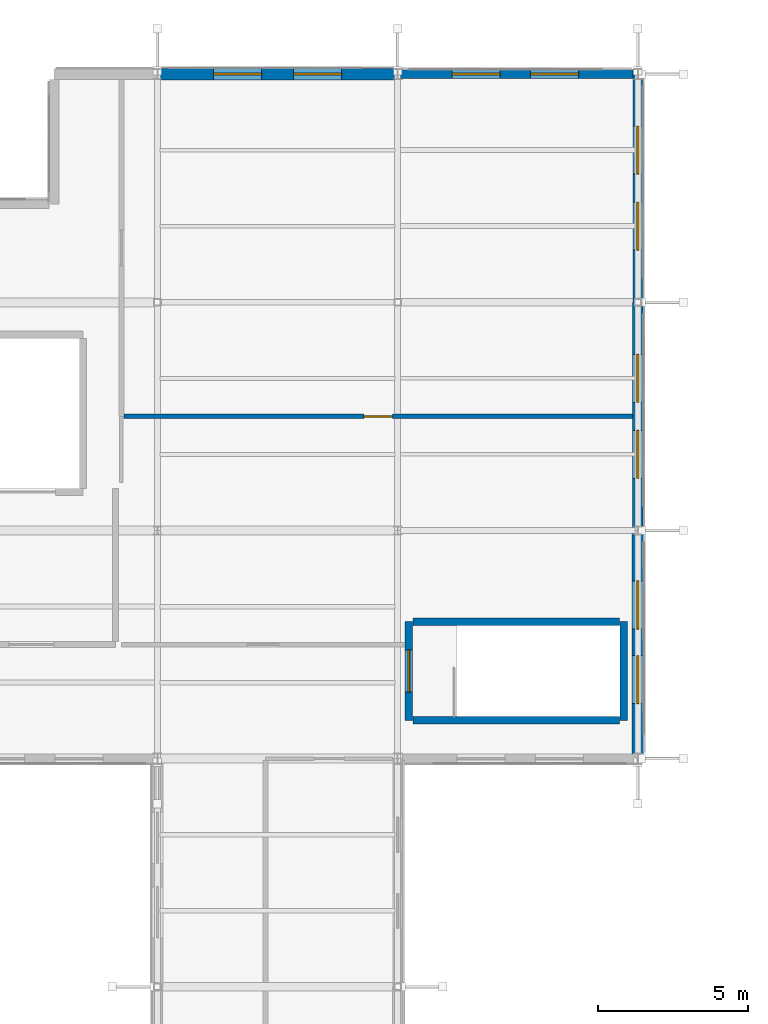
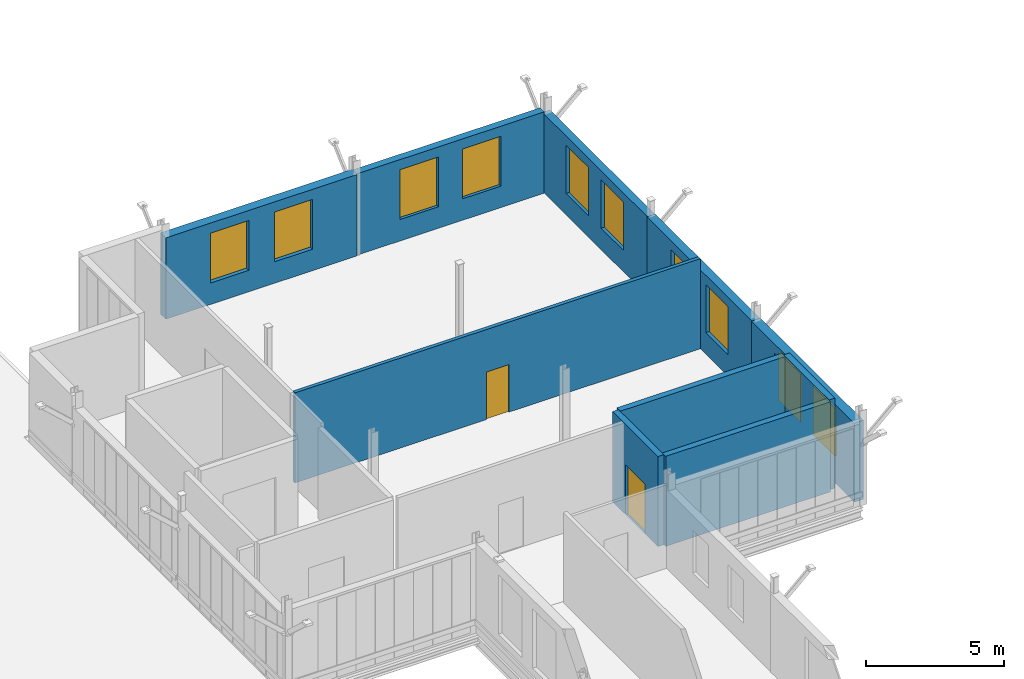
# One storey, part 85 of 101: 10 walls, 10 windows, 2 doors, 12 openings.
"""IFC4 building model written with IfcOpenShell, lengths in metres."""

from ifc_helpers import new_model, si_unit, direction, frame, frame_2d, origin, place, context, subcontext, project, spatial, rectangle, extrude, material, layer, layer_set, type_object, element, fill, save


model = new_model("IFC4")

# Units and contexts
model_context = context("Model", 3, precision=1e-05, world=origin(), true_north=direction((0.0, 1.0)))
body_context = subcontext(model_context, "Body", "Model", "MODEL_VIEW")
ifc_project = project(units=[si_unit("LENGTHUNIT", "METRE"), si_unit("AREAUNIT", "SQUARE_METRE"), si_unit("VOLUMEUNIT", "CUBIC_METRE"), si_unit("PLANEANGLEUNIT", "RADIAN"), si_unit("MASSUNIT", "GRAM", prefix="KILO")], contexts=[model_context])

# Site, building, storey
site_placement = place(None, origin())
site = spatial("IfcSite", under=ifc_project, at=site_placement, CompositionType="ELEMENT")
building_placement = place(site_placement, origin())
building = spatial("IfcBuilding", under=site, at=building_placement, Name="Vekula Escarpment Museum", CompositionType="ELEMENT")
storey_placement = place(building_placement, frame((0.0, 0.0, 18.0)))
storey = spatial("IfcBuildingStorey", under=building, at=storey_placement, Name="L04", CompositionType="ELEMENT", Elevation=18.0)

# Wall, openings, windows
ifc_material_1 = material(Name="Inkisi arkosic sandstone masonry", Category="masonry")
ifc_layer_1 = layer(ifc_material_1, 0.300048828125)
ifc_layer_set_1 = layer_set([ifc_layer_1], Name="Inkisi arkosic sandstone masonry")
wall_type_1 = type_object("IfcWallType", Name="WL-ALM-300", PredefinedType="SOLIDWALL", material=ifc_layer_set_1)
wall_1_placement = place(storey_placement, frame((48.0, 136.0, 0.0), z_axis=(0.0, 0.0, 1.0), x_axis=(1.0, 0.0, 0.0)))
wall_1 = element("IfcWall", 1, at=wall_1_placement, inside=storey, type_object=wall_type_1, Name="Exterior Wall WL-EXT-L04-0787", PredefinedType="SOLIDWALL", context=body_context, shape_type="SweptSolid", body=[
    extrude(rectangle(XDim=7.8359375, YDim=0.300048828125, at=frame_2d((3.91796875, 0.0))), origin(), (0.0, 0.0, 1.0), 3.594970703125),
])
opening_1_placement = place(wall_1_placement, frame((1.81201171875, 0.0, 0.949951171875)))
opening_1 = element("IfcOpeningElement", 2, at=opening_1_placement, cuts=wall_1, Name="Opening WN-10", PredefinedType="OPENING", context=body_context, shape_type="SweptSolid", body=[
    extrude(rectangle(XDim=1.60009765625, YDim=2.199951171875, at=frame_2d((0.800048828125, 1.10009765625))), frame((0.0, 0.159912109375, 0.0), z_axis=(0.0, -1.0, 0.0), x_axis=(1.0, 0.0, 0.0)), (0.0, 0.0, 1.0), 0.320068359375),
])
opening_2_placement = place(wall_1_placement, frame((4.424072265625, 0.0, 0.949951171875)))
opening_2 = element("IfcOpeningElement", 3, at=opening_2_placement, cuts=wall_1, Name="Opening WN-10", PredefinedType="OPENING", context=body_context, shape_type="SweptSolid", body=[
    extrude(rectangle(XDim=1.60009765625, YDim=2.199951171875, at=frame_2d((0.800048828125, 1.10009765625))), frame((0.0, 0.159912109375, 0.0), z_axis=(0.0, -1.0, 0.0), x_axis=(1.0, 0.0, 0.0)), (0.0, 0.0, 1.0), 0.320068359375),
])
ifc_material_2 = material(Name="Double solar-control low-E glass", Category="glass")
window_type = type_object("IfcWindowType", Name="WN-LAB-16x22", PartitioningType="DOUBLE_PANEL_HORIZONTAL", PredefinedType="WINDOW", material=ifc_material_2)
window_1_placement = place(opening_1_placement, origin())
window_1 = element("IfcWindow", 4, at=window_1_placement, inside=storey, type_object=window_type, Name="Window L04-0421", OverallHeight=2.199951171875, OverallWidth=1.60009765625, PartitioningType="SINGLE_PANEL", PredefinedType="WINDOW", context=body_context, shape_type="SweptSolid", body=[
    extrude(rectangle(XDim=1.60009765625, YDim=2.199951171875, at=frame_2d((0.800048828125, 1.10009765625))), frame((0.0, 0.030029296875, 0.0), z_axis=(0.0, -1.0, 0.0), x_axis=(1.0, 0.0, 0.0)), (0.0, 0.0, 1.0), 0.06005859375),
])
fill(opening_1, window_1)
window_2_placement = place(opening_2_placement, origin())
window_2 = element("IfcWindow", 5, at=window_2_placement, inside=storey, type_object=window_type, Name="Window L04-0422", OverallHeight=2.199951171875, OverallWidth=1.60009765625, PartitioningType="SINGLE_PANEL", PredefinedType="WINDOW", context=body_context, shape_type="SweptSolid", body=[
    extrude(rectangle(XDim=1.60009765625, YDim=2.199951171875, at=frame_2d((0.800048828125, 1.10009765625))), frame((0.0, 0.030029296875, 0.0), z_axis=(0.0, -1.0, 0.0), x_axis=(1.0, 0.0, 0.0)), (0.0, 0.0, 1.0), 0.06005859375),
])
fill(opening_2, window_2)

ifc_material_3 = material(Name="Inkisi arkosic sandstone masonry", Category="masonry")
ifc_layer_2 = layer(ifc_material_3, 0.320068359375)
ifc_layer_set_2 = layer_set([ifc_layer_2], Name="Inkisi arkosic sandstone masonry")
wall_type_2 = type_object("IfcWallType", Name="WL-ALM-320", PredefinedType="SOLIDWALL", material=ifc_layer_set_2)
wall_2_placement = place(storey_placement, frame((56.0, 136.0, 0.0), z_axis=(0.0, 0.0, 1.0), x_axis=(0.0, -1.0, 0.0)))
wall_2 = element("IfcWall", 6, at=wall_2_placement, inside=storey, type_object=wall_type_2, Name="Exterior Wall WL-EXT-L04-0786", PredefinedType="SOLIDWALL", context=body_context, shape_type="SweptSolid", body=[
    extrude(rectangle(XDim=7.60009765625, YDim=0.320068359375, at=frame_2d((3.800048828125, 0.0))), origin(), (0.0, 0.0, 1.0), 3.485107421875),
])
opening_3_placement = place(wall_2_placement, frame((1.7333984375, 0.0, 0.949951171875)))
opening_3 = element("IfcOpeningElement", 7, at=opening_3_placement, cuts=wall_2, Name="Opening WN-10", PredefinedType="OPENING", context=body_context, shape_type="SweptSolid", body=[
    extrude(rectangle(XDim=1.60009765625, YDim=2.1298828125, at=frame_2d((0.800048828125, 1.06494140625))), frame((0.0, 0.169921875, 0.0), z_axis=(0.0, -1.0, 0.0), x_axis=(1.0, 0.0, 0.0)), (0.0, 0.0, 1.0), 0.340087890625),
])
opening_4_placement = place(wall_2_placement, frame((4.2666015625, 0.0, 0.949951171875)))
opening_4 = element("IfcOpeningElement", 8, at=opening_4_placement, cuts=wall_2, Name="Opening WN-10", PredefinedType="OPENING", context=body_context, shape_type="SweptSolid", body=[
    extrude(rectangle(XDim=1.60009765625, YDim=2.1298828125, at=frame_2d((0.800048828125, 1.06494140625))), frame((0.0, 0.169921875, 0.0), z_axis=(0.0, -1.0, 0.0), x_axis=(1.0, 0.0, 0.0)), (0.0, 0.0, 1.0), 0.340087890625),
])
window_3_placement = place(opening_3_placement, origin())
window_3 = element("IfcWindow", 9, at=window_3_placement, inside=storey, type_object=window_type, Name="Window L04-0419", OverallHeight=2.1298828125, OverallWidth=1.60009765625, PartitioningType="SINGLE_PANEL", PredefinedType="WINDOW", context=body_context, shape_type="SweptSolid", body=[
    extrude(rectangle(XDim=1.60009765625, YDim=2.1298828125, at=frame_2d((0.800048828125, 1.06494140625))), frame((0.0, 0.030029296875, 0.0), z_axis=(0.0, -1.0, 0.0), x_axis=(1.0, 0.0, 0.0)), (0.0, 0.0, 1.0), 0.06005859375),
])
fill(opening_3, window_3)
window_4_placement = place(opening_4_placement, origin())
window_4 = element("IfcWindow", 10, at=window_4_placement, inside=storey, type_object=window_type, Name="Window L04-0420", OverallHeight=2.1298828125, OverallWidth=1.60009765625, PartitioningType="SINGLE_PANEL", PredefinedType="WINDOW", context=body_context, shape_type="SweptSolid", body=[
    extrude(rectangle(XDim=1.60009765625, YDim=2.1298828125, at=frame_2d((0.800048828125, 1.06494140625))), frame((0.0, 0.030029296875, 0.0), z_axis=(0.0, -1.0, 0.0), x_axis=(1.0, 0.0, 0.0)), (0.0, 0.0, 1.0), 0.06005859375),
])
fill(opening_4, window_4)

ifc_material_4 = material(Name="Inkisi arkosic sandstone masonry", Category="masonry")
ifc_layer_3 = layer(ifc_material_4, 0.35009765625)
ifc_layer_set_3 = layer_set([ifc_layer_3], Name="Inkisi arkosic sandstone masonry")
wall_type_3 = type_object("IfcWallType", Name="WL-ALM-350", PredefinedType="SOLIDWALL", material=ifc_layer_set_3)
wall_3_placement = place(storey_placement, frame((56.0, 128.39990234375, 0.0), z_axis=(0.0, 0.0, 1.0), x_axis=(0.0, -1.0, 0.0)))
wall_3 = element("IfcWall", 11, at=wall_3_placement, inside=storey, type_object=wall_type_3, Name="Exterior Wall WL-EXT-L04-0785", PredefinedType="SOLIDWALL", context=body_context, shape_type="SweptSolid", body=[
    extrude(rectangle(XDim=7.599853515625, YDim=0.35009765625, at=frame_2d((3.7998046875, 0.0))), origin(), (0.0, 0.0, 1.0), 3.485107421875),
])
opening_5_placement = place(wall_3_placement, frame((1.7333984375, 0.0, 0.949951171875)))
opening_5 = element("IfcOpeningElement", 12, at=opening_5_placement, cuts=wall_3, Name="Opening WN-10", PredefinedType="OPENING", context=body_context, shape_type="SweptSolid", body=[
    extrude(rectangle(XDim=1.60009765625, YDim=2.1298828125, at=frame_2d((0.800048828125, 1.06494140625))), frame((0.0, 0.18505859375, 0.0), z_axis=(0.0, -1.0, 0.0), x_axis=(1.0, 0.0, 0.0)), (0.0, 0.0, 1.0), 0.3701171875),
])
opening_6_placement = place(wall_3_placement, frame((4.2666015625, 0.0, 0.949951171875)))
opening_6 = element("IfcOpeningElement", 13, at=opening_6_placement, cuts=wall_3, Name="Opening WN-10", PredefinedType="OPENING", context=body_context, shape_type="SweptSolid", body=[
    extrude(rectangle(XDim=1.60009765625, YDim=2.1298828125, at=frame_2d((0.800048828125, 1.06494140625))), frame((0.0, 0.18505859375, 0.0), z_axis=(0.0, -1.0, 0.0), x_axis=(1.0, 0.0, 0.0)), (0.0, 0.0, 1.0), 0.3701171875),
])
window_5_placement = place(opening_5_placement, origin())
window_5 = element("IfcWindow", 14, at=window_5_placement, inside=storey, type_object=window_type, Name="Window L04-0417", OverallHeight=2.1298828125, OverallWidth=1.60009765625, PartitioningType="SINGLE_PANEL", PredefinedType="WINDOW", context=body_context, shape_type="SweptSolid", body=[
    extrude(rectangle(XDim=1.60009765625, YDim=2.1298828125, at=frame_2d((0.800048828125, 1.06494140625))), frame((0.0, 0.030029296875, 0.0), z_axis=(0.0, -1.0, 0.0), x_axis=(1.0, 0.0, 0.0)), (0.0, 0.0, 1.0), 0.06005859375),
])
fill(opening_5, window_5)
window_6_placement = place(opening_6_placement, origin())
window_6 = element("IfcWindow", 15, at=window_6_placement, inside=storey, type_object=window_type, Name="Window L04-0418", OverallHeight=2.1298828125, OverallWidth=1.60009765625, PartitioningType="SINGLE_PANEL", PredefinedType="WINDOW", context=body_context, shape_type="SweptSolid", body=[
    extrude(rectangle(XDim=1.60009765625, YDim=2.1298828125, at=frame_2d((0.800048828125, 1.06494140625))), frame((0.0, 0.030029296875, 0.0), z_axis=(0.0, -1.0, 0.0), x_axis=(1.0, 0.0, 0.0)), (0.0, 0.0, 1.0), 0.06005859375),
])
fill(opening_6, window_6)

ifc_material_5 = material(Name="Inkisi arkosic sandstone masonry", Category="masonry")
ifc_layer_4 = layer(ifc_material_5, 0.3798828125)
ifc_layer_set_4 = layer_set([ifc_layer_4], Name="Inkisi arkosic sandstone masonry")
wall_type_4 = type_object("IfcWallType", Name="WL-ALM-380", PredefinedType="SOLIDWALL", material=ifc_layer_set_4)
wall_4_placement = place(storey_placement, frame((56.0, 120.800048828125, 0.0), z_axis=(0.0, 0.0, 1.0), x_axis=(0.0, -1.0, 0.0)))
wall_4 = element("IfcWall", 16, at=wall_4_placement, inside=storey, type_object=wall_type_4, Name="Exterior Wall WL-EXT-L04-0784", PredefinedType="SOLIDWALL", context=body_context, shape_type="SweptSolid", body=[
    extrude(rectangle(XDim=7.446044921875, YDim=0.3798828125, at=frame_2d((3.72314453125, 0.0))), origin(), (0.0, 0.0, 1.0), 3.485107421875),
])
opening_7_placement = place(wall_4_placement, frame((1.681884765625, 0.0, 0.949951171875)))
opening_7 = element("IfcOpeningElement", 17, at=opening_7_placement, cuts=wall_4, Name="Opening WN-10", PredefinedType="OPENING", context=body_context, shape_type="SweptSolid", body=[
    extrude(rectangle(XDim=1.60009765625, YDim=2.1298828125, at=frame_2d((0.800048828125, 1.06494140625))), frame((0.0, 0.199951171875, 0.0), z_axis=(0.0, -1.0, 0.0), x_axis=(1.0, 0.0, 0.0)), (0.0, 0.0, 1.0), 0.39990234375),
])
opening_8_placement = place(wall_4_placement, frame((4.1640625, 0.0, 0.949951171875)))
opening_8 = element("IfcOpeningElement", 18, at=opening_8_placement, cuts=wall_4, Name="Opening WN-10", PredefinedType="OPENING", context=body_context, shape_type="SweptSolid", body=[
    extrude(rectangle(XDim=1.60009765625, YDim=2.1298828125, at=frame_2d((0.800048828125, 1.06494140625))), frame((0.0, 0.199951171875, 0.0), z_axis=(0.0, -1.0, 0.0), x_axis=(1.0, 0.0, 0.0)), (0.0, 0.0, 1.0), 0.39990234375),
])
window_7_placement = place(opening_7_placement, origin())
window_7 = element("IfcWindow", 19, at=window_7_placement, inside=storey, type_object=window_type, Name="Window L04-0415", OverallHeight=2.1298828125, OverallWidth=1.60009765625, PartitioningType="SINGLE_PANEL", PredefinedType="WINDOW", context=body_context, shape_type="SweptSolid", body=[
    extrude(rectangle(XDim=1.60009765625, YDim=2.1298828125, at=frame_2d((0.800048828125, 1.06494140625))), frame((0.0, 0.030029296875, 0.0), z_axis=(0.0, -1.0, 0.0), x_axis=(1.0, 0.0, 0.0)), (0.0, 0.0, 1.0), 0.06005859375),
])
fill(opening_7, window_7)
window_8_placement = place(opening_8_placement, origin())
window_8 = element("IfcWindow", 20, at=window_8_placement, inside=storey, type_object=window_type, Name="Window L04-0416", OverallHeight=2.1298828125, OverallWidth=1.60009765625, PartitioningType="SINGLE_PANEL", PredefinedType="WINDOW", context=body_context, shape_type="SweptSolid", body=[
    extrude(rectangle(XDim=1.60009765625, YDim=2.1298828125, at=frame_2d((0.800048828125, 1.06494140625))), frame((0.0, 0.030029296875, 0.0), z_axis=(0.0, -1.0, 0.0), x_axis=(1.0, 0.0, 0.0)), (0.0, 0.0, 1.0), 0.06005859375),
])
fill(opening_8, window_8)

wall_5_placement = place(storey_placement, frame((40.0, 136.0, 0.0), z_axis=(0.0, 0.0, 1.0), x_axis=(1.0, 0.0, 0.0)))
wall_5 = element("IfcWall", 21, at=wall_5_placement, inside=storey, type_object=wall_type_4, Name="Exterior Wall WL-EXT-L04-0788", PredefinedType="SOLIDWALL", context=body_context, shape_type="SweptSolid", body=[
    extrude(rectangle(XDim=8.0, YDim=0.3798828125, at=frame_2d((4.0, 0.0))), origin(), (0.0, 0.0, 1.0), 3.594970703125),
])
opening_9_placement = place(wall_5_placement, frame((1.86669921875, 0.0, 0.949951171875)))
opening_9 = element("IfcOpeningElement", 22, at=opening_9_placement, cuts=wall_5, Name="Opening WN-10", PredefinedType="OPENING", context=body_context, shape_type="SweptSolid", body=[
    extrude(rectangle(XDim=1.60009765625, YDim=2.199951171875, at=frame_2d((0.800048828125, 1.10009765625))), frame((0.0, 0.199951171875, 0.0), z_axis=(0.0, -1.0, 0.0), x_axis=(1.0, 0.0, 0.0)), (0.0, 0.0, 1.0), 0.39990234375),
])
opening_10_placement = place(wall_5_placement, frame((4.533203125, 0.0, 0.949951171875)))
opening_10 = element("IfcOpeningElement", 23, at=opening_10_placement, cuts=wall_5, Name="Opening WN-10", PredefinedType="OPENING", context=body_context, shape_type="SweptSolid", body=[
    extrude(rectangle(XDim=1.60009765625, YDim=2.199951171875, at=frame_2d((0.800048828125, 1.10009765625))), frame((0.0, 0.199951171875, 0.0), z_axis=(0.0, -1.0, 0.0), x_axis=(1.0, 0.0, 0.0)), (0.0, 0.0, 1.0), 0.39990234375),
])
window_9_placement = place(opening_9_placement, origin())
window_9 = element("IfcWindow", 24, at=window_9_placement, inside=storey, type_object=window_type, Name="Window L04-0423", OverallHeight=2.199951171875, OverallWidth=1.60009765625, PartitioningType="SINGLE_PANEL", PredefinedType="WINDOW", context=body_context, shape_type="SweptSolid", body=[
    extrude(rectangle(XDim=1.60009765625, YDim=2.199951171875, at=frame_2d((0.800048828125, 1.10009765625))), frame((0.0, 0.030029296875, 0.0), z_axis=(0.0, -1.0, 0.0), x_axis=(1.0, 0.0, 0.0)), (0.0, 0.0, 1.0), 0.06005859375),
])
fill(opening_9, window_9)
window_10_placement = place(opening_10_placement, origin())
window_10 = element("IfcWindow", 25, at=window_10_placement, inside=storey, type_object=window_type, Name="Window L04-0424", OverallHeight=2.199951171875, OverallWidth=1.60009765625, PartitioningType="SINGLE_PANEL", PredefinedType="WINDOW", context=body_context, shape_type="SweptSolid", body=[
    extrude(rectangle(XDim=1.60009765625, YDim=2.199951171875, at=frame_2d((0.800048828125, 1.10009765625))), frame((0.0, 0.030029296875, 0.0), z_axis=(0.0, -1.0, 0.0), x_axis=(1.0, 0.0, 0.0)), (0.0, 0.0, 1.0), 0.06005859375),
])
fill(opening_10, window_10)

# Wall, opening, door
ifc_material_6 = material(Name="Concrete C35/45", Category="concrete")
ifc_layer_5 = layer(ifc_material_6, 0.25)
ifc_layer_set_5 = layer_set([ifc_layer_5], Name="Concrete C35/45")
wall_type_5 = type_object("IfcWallType", Name="WL-CORE-250", PredefinedType="SHEAR", material=ifc_layer_set_5)
wall_6_placement = place(storey_placement, frame((48.375, 114.47509765625, 0.0), z_axis=(0.0, 0.0, 1.0), x_axis=(0.0, 1.0, 0.0)))
wall_6 = element("IfcWall", 26, at=wall_6_placement, inside=storey, type_object=wall_type_5, Name="Stair Core Wall ST-03 L04 W", PredefinedType="SHEAR", context=body_context, shape_type="SweptSolid", body=[
    extrude(rectangle(XDim=3.289794921875, YDim=0.25, at=frame_2d((1.64501953125, 0.0))), origin(), (0.0, 0.0, 1.0), 3.97998046875),
])
opening_11_placement = place(wall_6_placement, frame((0.945068359375, 0.0, 0.0)))
opening_11 = element("IfcOpeningElement", 27, at=opening_11_placement, cuts=wall_6, Name="Opening DR-FD60", PredefinedType="OPENING", context=body_context, shape_type="SweptSolid", body=[
    extrude(rectangle(XDim=1.39990234375, YDim=2.199951171875, at=frame_2d((0.699951171875, 1.10009765625))), frame((0.0, 0.135009765625, 0.0), z_axis=(0.0, -1.0, 0.0), x_axis=(1.0, 0.0, 0.0)), (0.0, 0.0, 1.0), 0.27001953125),
])
ifc_material_7 = material(Name="Fire-rated steel stair door", Category="steel")
door_type_1 = type_object("IfcDoorType", Name="DR-STAIR-1400x2200", OperationType="NOTDEFINED", PredefinedType="DOOR", material=ifc_material_7)
door_1_placement = place(opening_11_placement, origin())
door_1 = element("IfcDoor", 28, at=door_1_placement, inside=storey, type_object=door_type_1, Name="Protected Exit Stair Door ST-03 L04", OperationType="SINGLE_SWING_LEFT", OverallHeight=2.199951171875, OverallWidth=1.39990234375, PredefinedType="DOOR", context=body_context, shape_type="SweptSolid", body=[
    extrude(rectangle(XDim=1.39990234375, YDim=2.199951171875, at=frame_2d((0.699951171875, 1.10009765625))), frame((0.0, 0.02490234375, 0.0), z_axis=(0.0, -1.0, 0.0), x_axis=(1.0, 0.0, 0.0)), (0.0, 0.0, 1.0), 0.050048828125),
])
fill(opening_11, door_1)

# Walls
wall_7_placement = place(storey_placement, frame((55.52490234375, 114.47509765625, 0.0), z_axis=(0.0, 0.0, 1.0), x_axis=(0.0, 1.0, 0.0)))
element("IfcWall", 29, at=wall_7_placement, inside=storey, type_object=wall_type_5, Name="Stair Core Wall ST-03 L04 E", PredefinedType="SHEAR", context=body_context, shape_type="SweptSolid", body=[
    extrude(rectangle(XDim=3.289794921875, YDim=0.25, at=frame_2d((1.64501953125, 0.0))), origin(), (0.0, 0.0, 1.0), 3.97998046875),
])
for number, where, z_axis, x_axis, name in (
    (30, (48.50390625, 114.47509765625, 0.0), (0.0, 0.0, 1.0), (1.0, 0.0, 0.0), "Stair Core Wall ST-03 L04 S"),
    (31, (48.50390625, 117.764892578125, 0.0), (0.0, 0.0, 1.0), (1.0, 0.0, 0.0), "Stair Core Wall ST-03 L04 N"),
):
    element("IfcWall", number, at=place(storey_placement, frame(where, z_axis=z_axis, x_axis=x_axis)), inside=storey, type_object=wall_type_5, Name=name, PredefinedType="SHEAR", context=body_context, shape_type="SweptSolid", body=[
        extrude(rectangle(XDim=6.89208984375, YDim=0.25, at=frame_2d((3.446044921875, 0.0))), origin(), (0.0, 0.0, 1.0), 3.97998046875),
    ])

# Wall, opening, door
ifc_material_8 = material(Name="Gypsum board dry-lined partition", Category="gypsum")
ifc_layer_6 = layer(ifc_material_8, 0.14990234375)
ifc_layer_set_6 = layer_set([ifc_layer_6], Name="Gypsum board dry-lined partition")
wall_type_6 = type_object("IfcWallType", Name="WL-PART-150", PredefinedType="PARTITIONING", material=ifc_layer_set_6)
wall_8_placement = place(storey_placement, frame((38.884033203125, 124.60009765625, 0.0), z_axis=(0.0, 0.0, 1.0), x_axis=(1.0, 0.0, 0.0)))
wall_8 = element("IfcWall", 32, at=wall_8_placement, inside=storey, type_object=wall_type_6, Name="Interior Partition WL-INT-L04-0002", PredefinedType="PARTITIONING", context=body_context, shape_type="SweptSolid", body=[
    extrude(rectangle(XDim=16.93701171875, YDim=0.14990234375, at=frame_2d((8.468505859375, 0.0))), origin(), (0.0, 0.0, 1.0), 3.97998046875),
])
opening_12_placement = place(wall_8_placement, frame((7.993408203125, 0.0, 0.0)))
opening_12 = element("IfcOpeningElement", 33, at=opening_12_placement, cuts=wall_8, Name="Opening DR-OF09", PredefinedType="OPENING", context=body_context, shape_type="SweptSolid", body=[
    extrude(rectangle(XDim=0.949951171875, YDim=2.10009765625, at=frame_2d((0.47509765625, 1.050048828125))), frame((0.0, 0.0849609375, 0.0), z_axis=(0.0, -1.0, 0.0), x_axis=(1.0, 0.0, 0.0)), (0.0, 0.0, 1.0), 0.169921875),
])
ifc_material_9 = material(Name="Solid core timber office door", Category="wood")
door_type_2 = type_object("IfcDoorType", Name="DR-OFF-0950x2100", OperationType="NOTDEFINED", PredefinedType="DOOR", material=ifc_material_9)
door_2_placement = place(opening_12_placement, origin())
door_2 = element("IfcDoor", 34, at=door_2_placement, inside=storey, type_object=door_type_2, Name="Interior Door L04-002", OperationType="SINGLE_SWING_RIGHT", OverallHeight=2.10009765625, OverallWidth=0.949951171875, PredefinedType="DOOR", context=body_context, shape_type="SweptSolid", body=[
    extrude(rectangle(XDim=0.949951171875, YDim=2.10009765625, at=frame_2d((0.47509765625, 1.050048828125))), frame((0.0, 0.02490234375, 0.0), z_axis=(0.0, -1.0, 0.0), x_axis=(1.0, 0.0, 0.0)), (0.0, 0.0, 1.0), 0.050048828125),
])
fill(opening_12, door_2)

save(model, "model.ifc")
